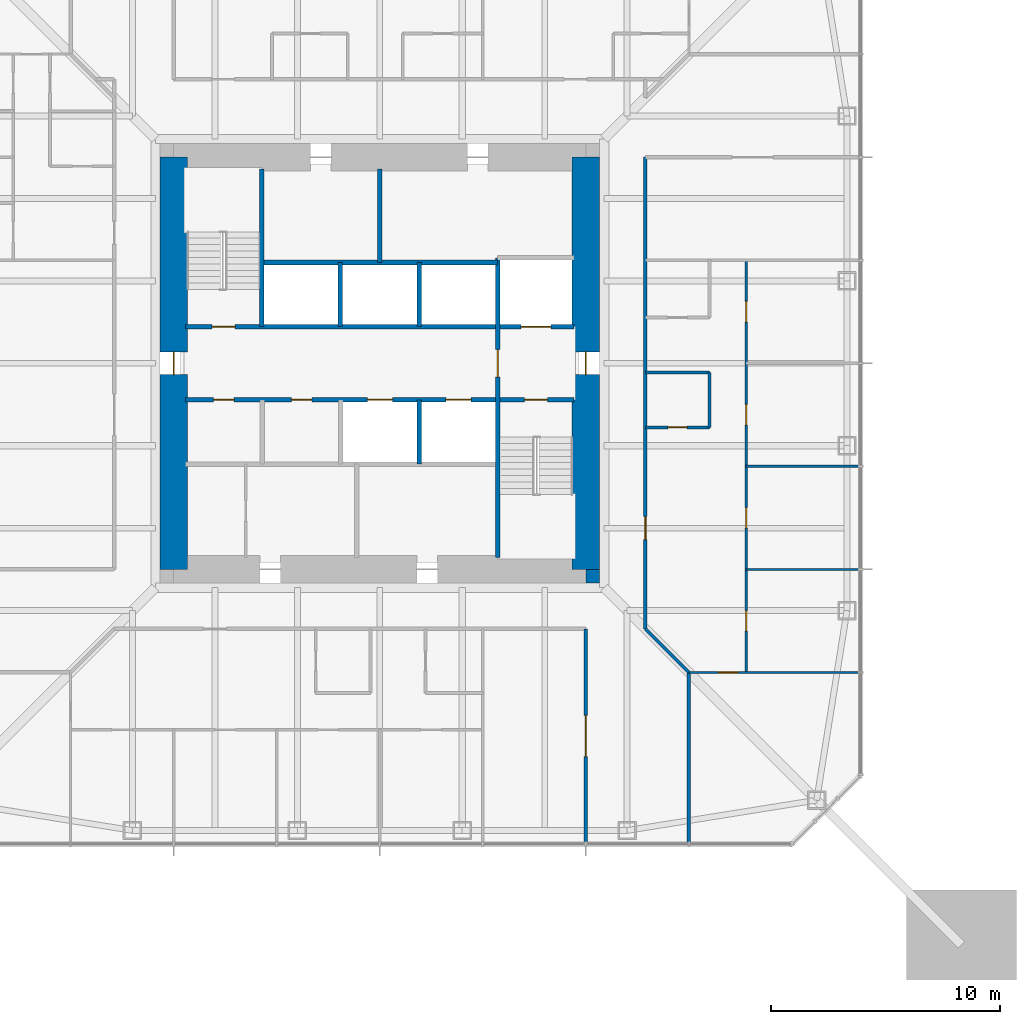
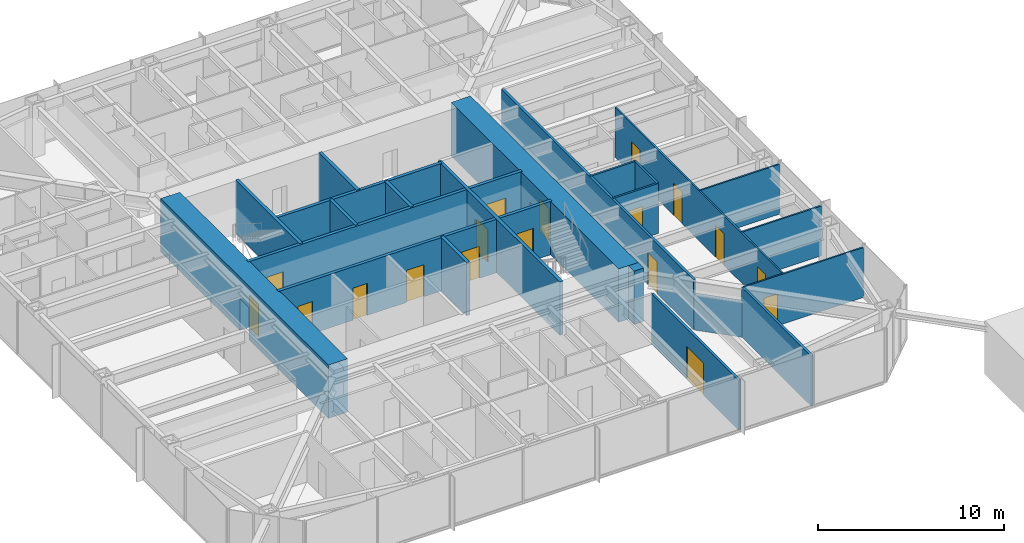
# One storey, part 14 of 25: 23 walls, 18 doors, 18 openings.
"""IFC4 building model written with IfcOpenShell, lengths in metres."""

from ifc_helpers import new_model, si_unit, direction, frame, frame_2d, origin, place, context, subcontext, project, spatial, rectangle, extrude, material, layer, layer_set, type_object, element, fill, save


model = new_model("IFC4")

# Units and contexts
model_context = context("Model", 3, precision=1e-05, world=origin(), true_north=direction((0.0, 1.0)))
body_context = subcontext(model_context, "Body", "Model", "MODEL_VIEW")
ifc_project = project(units=[si_unit("LENGTHUNIT", "METRE"), si_unit("AREAUNIT", "SQUARE_METRE"), si_unit("VOLUMEUNIT", "CUBIC_METRE"), si_unit("PLANEANGLEUNIT", "RADIAN"), si_unit("MASSUNIT", "GRAM", prefix="KILO")], contexts=[model_context])

# Site, building, storey
site_placement = place(None, origin())
site = spatial("IfcSite", under=ifc_project, at=site_placement, CompositionType="ELEMENT")
building_placement = place(site_placement, origin())
building = spatial("IfcBuilding", under=site, at=building_placement, Name="Iwan Alto Co-Living Towers", CompositionType="ELEMENT")
storey_placement = place(building_placement, frame((0.0, 0.0, 119.0)))
storey = spatial("IfcBuildingStorey", under=building, at=storey_placement, Name="L32", CompositionType="ELEMENT", Elevation=119.0)

# Wall
ifc_material_1 = material(Name="Gypsum board")
ifc_layer_1 = layer(ifc_material_1, 0.02490234375, Name="Board", Category="Finish")
ifc_material_2 = material(Name="Steel ASTM A1003 ST33H cold-formed studs", Category="steel")
ifc_layer_2 = layer(ifc_material_2, 0.10009765625, Name="Studs", Category="Framing")
ifc_layer_3 = layer(ifc_material_1, 0.02490234375, Name="Board", Category="Finish")
ifc_layer_set_1 = layer_set([ifc_layer_1, ifc_layer_2, ifc_layer_3], Name="CORRIDOR WALL 150")
wall_type_1 = type_object("IfcWallType", Name="CORRIDOR WALL 150", PredefinedType="PARTITIONING", material=ifc_layer_set_1)
wall_1_placement = place(storey_placement, frame((13.5, -20.93994140625, 0.0), z_axis=(0.0, 0.0, 1.0), x_axis=(0.0, 1.0, 0.0)))
element("IfcWall", 1, at=wall_1_placement, inside=storey, type_object=wall_type_1, Name="Partition L32", PredefinedType="PARTITIONING", context=body_context, shape_type="SweptSolid", body=[
    extrude(rectangle(XDim=7.43994140625, YDim=0.14990234375, at=frame_2d((3.719970703125, 0.0))), origin(), (0.0, 0.0, 1.0), 3.27001953125),
])

# Wall, opening, door
wall_2_placement = place(storey_placement, frame((11.60009765625, -11.60009765625, 0.0), z_axis=(0.0, 0.0, 1.0), x_axis=(0.0, 1.0, 0.0)))
wall_2 = element("IfcWall", 2, at=wall_2_placement, inside=storey, type_object=wall_type_1, Name="Partition L32", PredefinedType="PARTITIONING", context=body_context, shape_type="SweptSolid", body=[
    extrude(rectangle(XDim=20.60009765625, YDim=0.14990234375, at=frame_2d((10.300048828125, 0.0))), origin(), (0.0, 0.0, 1.0), 3.27001953125),
])
opening_1_placement = place(wall_2_placement, frame((3.89990234375, 0.0, 0.0)))
opening_1 = element("IfcOpeningElement", 3, at=opening_1_placement, cuts=wall_2, Name="Opening D3", PredefinedType="OPENING", context=body_context, shape_type="SweptSolid", body=[
    extrude(rectangle(XDim=1.0, YDim=2.10009765625, at=frame_2d((0.5, 1.050048828125))), frame((0.0, 0.0849609375, 0.0), z_axis=(0.0, -1.0, 0.0), x_axis=(1.0, 0.0, 0.0)), (0.0, 0.0, 1.0), 0.169921875),
])
ifc_material_3 = material(Name="Steel frame with timber leaf", Category="steel")
door_type_1 = type_object("IfcDoorType", Name="FLAT ENTRANCE DOOR FD30S 1000X2100", OperationType="SINGLE_SWING_LEFT", PredefinedType="DOOR", material=ifc_material_3)
door_1_placement = place(opening_1_placement, frame((1.0, 0.0, 0.0), z_axis=(0.0, 0.0, 1.0), x_axis=(-1.0, 0.0, 0.0)))
door_1 = element("IfcDoor", 4, at=door_1_placement, inside=storey, type_object=door_type_1, Name="Cluster lounge door L32", OperationType="SINGLE_SWING_LEFT", OverallHeight=2.10009765625, OverallWidth=1.0, PredefinedType="DOOR", context=body_context, shape_type="SweptSolid", body=[
    extrude(rectangle(XDim=1.0, YDim=2.10009765625, at=frame_2d((0.5, 1.050048828125))), frame((0.0, 0.02490234375, 0.0), z_axis=(0.0, -1.0, 0.0), x_axis=(1.0, 0.0, 0.0)), (0.0, 0.0, 1.0), 0.050048828125),
])
fill(opening_1, door_1)

wall_3_placement = place(storey_placement, frame((9.0, -20.93994140625, 0.0), z_axis=(0.0, 0.0, 1.0), x_axis=(0.0, 1.0, 0.0)))
wall_3 = element("IfcWall", 5, at=wall_3_placement, inside=storey, type_object=wall_type_1, Name="Partition L32", PredefinedType="PARTITIONING", context=body_context, shape_type="SweptSolid", body=[
    extrude(rectangle(XDim=9.33984375, YDim=0.14990234375, at=frame_2d((4.669921875, 0.0))), origin(), (0.0, 0.0, 1.0), 3.27001953125),
])
opening_2_placement = place(wall_3_placement, frame((3.77001953125, 0.0, 0.0)))
opening_2 = element("IfcOpeningElement", 6, at=opening_2_placement, cuts=wall_3, Name="Opening D9", PredefinedType="OPENING", context=body_context, shape_type="SweptSolid", body=[
    extrude(rectangle(XDim=1.800048828125, YDim=2.10009765625, at=frame_2d((0.89990234375, 1.050048828125))), frame((0.0, 0.0849609375, 0.0), z_axis=(0.0, -1.0, 0.0), x_axis=(1.0, 0.0, 0.0)), (0.0, 0.0, 1.0), 0.169921875),
])
ifc_material_4 = material(Name="Steel frame with timber leaf", Category="steel")
door_type_2 = type_object("IfcDoorType", Name="LOUNGE DOOR FD30S 1800X2100", OperationType="DOUBLE_DOOR_SINGLE_SWING", PredefinedType="DOOR", material=ifc_material_4)
door_2_placement = place(opening_2_placement, origin())
door_2 = element("IfcDoor", 7, at=door_2_placement, inside=storey, type_object=door_type_2, Name="Co-working room door L32", OperationType="DOUBLE_DOOR_SINGLE_SWING", OverallHeight=2.10009765625, OverallWidth=1.800048828125, PredefinedType="DOOR", context=body_context, shape_type="SweptSolid", body=[
    extrude(rectangle(XDim=1.800048828125, YDim=2.10009765625, at=frame_2d((0.89990234375, 1.050048828125))), frame((0.0, 0.02490234375, 0.0), z_axis=(0.0, -1.0, 0.0), x_axis=(1.0, 0.0, 0.0)), (0.0, 0.0, 1.0), 0.050048828125),
])
fill(opening_2, door_2)

# Wall
wall_4_placement = place(storey_placement, frame((13.5, -13.5, 0.0), z_axis=(0.0, 0.0, 1.0), x_axis=(-0.707106781187, 0.707106781187, 0.0)))
element("IfcWall", 8, at=wall_4_placement, inside=storey, type_object=wall_type_1, Name="Partition L32", PredefinedType="PARTITIONING", context=body_context, shape_type="SweptSolid", body=[
    extrude(rectangle(XDim=2.686767578125, YDim=0.14990234375, at=frame_2d((1.34326171875, 0.0))), origin(), (0.0, 0.0, 1.0), 2.343017578125),
])

# Wall, opening, door
ifc_layer_4 = layer(ifc_material_1, 0.012451171875, Name="Board", Category="Finish")
ifc_layer_5 = layer(ifc_material_2, 0.074951171875, Name="Studs", Category="Framing")
ifc_layer_6 = layer(ifc_material_1, 0.012451171875, Name="Board", Category="Finish")
ifc_layer_set_2 = layer_set([ifc_layer_4, ifc_layer_5, ifc_layer_6], Name="PARTITION 100")
wall_type_2 = type_object("IfcWallType", Name="PARTITION 100", PredefinedType="PARTITIONING", material=ifc_layer_set_2)
wall_5_placement = place(storey_placement, frame((13.5, -13.5, 0.0), z_axis=(0.0, 0.0, 1.0), x_axis=(1.0, 0.0, 0.0)))
wall_5 = element("IfcWall", 9, at=wall_5_placement, inside=storey, type_object=wall_type_2, Name="Partition L32", PredefinedType="PARTITIONING", context=body_context, shape_type="SweptSolid", body=[
    extrude(rectangle(XDim=7.43994140625, YDim=0.10009765625, at=frame_2d((3.719970703125, 0.0))), origin(), (0.0, 0.0, 1.0), 3.27001953125),
])
opening_3_placement = place(wall_5_placement, frame((1.27490234375, 0.0, 0.0)))
opening_3 = element("IfcOpeningElement", 10, at=opening_3_placement, cuts=wall_5, Name="Opening D2", PredefinedType="OPENING", context=body_context, shape_type="SweptSolid", body=[
    extrude(rectangle(XDim=0.85009765625, YDim=2.10009765625, at=frame_2d((0.425048828125, 1.050048828125))), frame((0.0, 0.06005859375, 0.0), z_axis=(0.0, -1.0, 0.0), x_axis=(1.0, 0.0, 0.0)), (0.0, 0.0, 1.0), 0.1201171875),
])
ifc_material_5 = material(Name="Timber leaf in steel frame", Category="steel")
door_type_3 = type_object("IfcDoorType", Name="ROOM DOOR 850X2100", OperationType="SINGLE_SWING_LEFT", PredefinedType="DOOR", material=ifc_material_5)
door_3_placement = place(opening_3_placement, origin())
door_3 = element("IfcDoor", 11, at=door_3_placement, inside=storey, type_object=door_type_3, Name="Shared kitchen and lounge door L32", OperationType="SINGLE_SWING_RIGHT", OverallHeight=2.10009765625, OverallWidth=0.85009765625, PredefinedType="DOOR", context=body_context, shape_type="SweptSolid", body=[
    extrude(rectangle(XDim=0.85009765625, YDim=2.10009765625, at=frame_2d((0.425048828125, 1.050048828125))), frame((0.0, 0.02490234375, 0.0), z_axis=(0.0, -1.0, 0.0), x_axis=(1.0, 0.0, 0.0)), (0.0, 0.0, 1.0), 0.050048828125),
])
fill(opening_3, door_3)

# Walls
for number, where, z_axis, x_axis, name in (
    (12, (16.0, -9.0, 0.0), (0.0, 0.0, 1.0), (1.0, 0.0, 0.0), "Partition L32"),
    (13, (16.0, -4.5, 0.0), (0.0, 0.0, 1.0), (1.0, 0.0, 0.0), "Partition L32"),
):
    element("IfcWall", number, at=place(storey_placement, frame(where, z_axis=z_axis, x_axis=x_axis)), inside=storey, type_object=wall_type_2, Name=name, PredefinedType="PARTITIONING", context=body_context, shape_type="SweptSolid", body=[
        extrude(rectangle(XDim=4.93994140625, YDim=0.10009765625, at=frame_2d((2.469970703125, 0.0))), origin(), (0.0, 0.0, 1.0), 3.27001953125),
    ])

# Wall, openings, doors
wall_6_placement = place(storey_placement, frame((16.0, -13.5, 0.0), z_axis=(0.0, 0.0, 1.0), x_axis=(0.0, 1.0, 0.0)))
wall_6 = element("IfcWall", 14, at=wall_6_placement, inside=storey, type_object=wall_type_2, Name="Partition L32", PredefinedType="PARTITIONING", context=body_context, shape_type="SweptSolid", body=[
    extrude(rectangle(XDim=18.0, YDim=0.10009765625, at=frame_2d((9.0, 0.0))), origin(), (0.0, 0.0, 1.0), 3.27001953125),
])
opening_4_placement = place(wall_6_placement, frame((1.800048828125, 0.0, 0.0)))
opening_4 = element("IfcOpeningElement", 15, at=opening_4_placement, cuts=wall_6, Name="Opening D1", PredefinedType="OPENING", context=body_context, shape_type="SweptSolid", body=[
    extrude(rectangle(XDim=0.89990234375, YDim=2.10009765625, at=frame_2d((0.449951171875, 1.050048828125))), frame((0.0, 0.06005859375, 0.0), z_axis=(0.0, -1.0, 0.0), x_axis=(1.0, 0.0, 0.0)), (0.0, 0.0, 1.0), 0.1201171875),
])
opening_5_placement = place(wall_6_placement, frame((6.300048828125, 0.0, 0.0)))
opening_5 = element("IfcOpeningElement", 16, at=opening_5_placement, cuts=wall_6, Name="Opening D1", PredefinedType="OPENING", context=body_context, shape_type="SweptSolid", body=[
    extrude(rectangle(XDim=0.89990234375, YDim=2.10009765625, at=frame_2d((0.449951171875, 1.050048828125))), frame((0.0, 0.06005859375, 0.0), z_axis=(0.0, -1.0, 0.0), x_axis=(1.0, 0.0, 0.0)), (0.0, 0.0, 1.0), 0.1201171875),
])
opening_6_placement = place(wall_6_placement, frame((10.800048828125, 0.0, 0.0)))
opening_6 = element("IfcOpeningElement", 17, at=opening_6_placement, cuts=wall_6, Name="Opening D1", PredefinedType="OPENING", context=body_context, shape_type="SweptSolid", body=[
    extrude(rectangle(XDim=0.89990234375, YDim=2.10009765625, at=frame_2d((0.449951171875, 1.050048828125))), frame((0.0, 0.06005859375, 0.0), z_axis=(0.0, -1.0, 0.0), x_axis=(1.0, 0.0, 0.0)), (0.0, 0.0, 1.0), 0.1201171875),
])
opening_7_placement = place(wall_6_placement, frame((15.300048828125, 0.0, 0.0)))
opening_7 = element("IfcOpeningElement", 18, at=opening_7_placement, cuts=wall_6, Name="Opening D1", PredefinedType="OPENING", context=body_context, shape_type="SweptSolid", body=[
    extrude(rectangle(XDim=0.89990234375, YDim=2.10009765625, at=frame_2d((0.449951171875, 1.050048828125))), frame((0.0, 0.06005859375, 0.0), z_axis=(0.0, -1.0, 0.0), x_axis=(1.0, 0.0, 0.0)), (0.0, 0.0, 1.0), 0.1201171875),
])
ifc_material_6 = material(Name="Timber leaf in steel frame", Category="steel")
door_type_4 = type_object("IfcDoorType", Name="BEDROOM DOOR 900X2100", OperationType="SINGLE_SWING_LEFT", PredefinedType="DOOR", material=ifc_material_6)
door_4_placement = place(opening_4_placement, origin())
door_4 = element("IfcDoor", 19, at=door_4_placement, inside=storey, type_object=door_type_4, Name="Study bedroom door L32", OperationType="SINGLE_SWING_LEFT", OverallHeight=2.10009765625, OverallWidth=0.89990234375, PredefinedType="DOOR", context=body_context, shape_type="SweptSolid", body=[
    extrude(rectangle(XDim=0.89990234375, YDim=2.10009765625, at=frame_2d((0.449951171875, 1.050048828125))), frame((0.0, 0.02490234375, 0.0), z_axis=(0.0, -1.0, 0.0), x_axis=(1.0, 0.0, 0.0)), (0.0, 0.0, 1.0), 0.050048828125),
])
fill(opening_4, door_4)
door_5_placement = place(opening_5_placement, origin())
door_5 = element("IfcDoor", 20, at=door_5_placement, inside=storey, type_object=door_type_4, Name="Study bedroom door L32", OperationType="SINGLE_SWING_LEFT", OverallHeight=2.10009765625, OverallWidth=0.89990234375, PredefinedType="DOOR", context=body_context, shape_type="SweptSolid", body=[
    extrude(rectangle(XDim=0.89990234375, YDim=2.10009765625, at=frame_2d((0.449951171875, 1.050048828125))), frame((0.0, 0.02490234375, 0.0), z_axis=(0.0, -1.0, 0.0), x_axis=(1.0, 0.0, 0.0)), (0.0, 0.0, 1.0), 0.050048828125),
])
fill(opening_5, door_5)
door_6_placement = place(opening_6_placement, origin())
door_6 = element("IfcDoor", 21, at=door_6_placement, inside=storey, type_object=door_type_4, Name="Study bedroom door L32", OperationType="SINGLE_SWING_RIGHT", OverallHeight=2.10009765625, OverallWidth=0.89990234375, PredefinedType="DOOR", context=body_context, shape_type="SweptSolid", body=[
    extrude(rectangle(XDim=0.89990234375, YDim=2.10009765625, at=frame_2d((0.449951171875, 1.050048828125))), frame((0.0, 0.02490234375, 0.0), z_axis=(0.0, -1.0, 0.0), x_axis=(1.0, 0.0, 0.0)), (0.0, 0.0, 1.0), 0.050048828125),
])
fill(opening_6, door_6)
door_7_placement = place(opening_7_placement, origin())
door_7 = element("IfcDoor", 22, at=door_7_placement, inside=storey, type_object=door_type_4, Name="Study bedroom door L32", OperationType="SINGLE_SWING_RIGHT", OverallHeight=2.10009765625, OverallWidth=0.89990234375, PredefinedType="DOOR", context=body_context, shape_type="SweptSolid", body=[
    extrude(rectangle(XDim=0.89990234375, YDim=2.10009765625, at=frame_2d((0.449951171875, 1.050048828125))), frame((0.0, 0.02490234375, 0.0), z_axis=(0.0, -1.0, 0.0), x_axis=(1.0, 0.0, 0.0)), (0.0, 0.0, 1.0), 0.050048828125),
])
fill(opening_7, door_7)

ifc_material_7 = material(Name="Concrete f'c 70 MPa", Category="concrete")
ifc_layer_7 = layer(ifc_material_7, 0.199951171875)
ifc_layer_set_3 = layer_set([ifc_layer_7], Name="SHAFT WALL 200")
wall_type_3 = type_object("IfcWallType", Name="SHAFT WALL 200", PredefinedType="SOLIDWALL", material=ifc_layer_set_3)
wall_7_placement = place(storey_placement, frame((-8.489990234375, -1.60009765625, 0.0), z_axis=(0.0, 0.0, 1.0), x_axis=(1.0, 0.0, 0.0)))
wall_7 = element("IfcWall", 23, at=wall_7_placement, inside=storey, type_object=wall_type_3, Name="Shaft wall L32", PredefinedType="SOLIDWALL", context=body_context, shape_type="SweptSolid", body=[
    extrude(rectangle(XDim=16.97998046875, YDim=0.199951171875, at=frame_2d((8.489990234375, 0.0))), origin(), (0.0, 0.0, 1.0), 3.5),
])
opening_8_placement = place(wall_7_placement, frame((14.81005859375, 0.0, 0.0)))
opening_8 = element("IfcOpeningElement", 24, at=opening_8_placement, cuts=wall_7, Name="Opening D5", PredefinedType="OPENING", context=body_context, shape_type="SweptSolid", body=[
    extrude(rectangle(XDim=1.0, YDim=2.10009765625, at=frame_2d((0.5, 1.050048828125))), frame((0.0, 0.10986328125, 0.0), z_axis=(0.0, -1.0, 0.0), x_axis=(1.0, 0.0, 0.0)), (0.0, 0.0, 1.0), 0.219970703125),
])
opening_9_placement = place(wall_7_placement, frame((1.23193359375, 0.0, 0.0)))
opening_9 = element("IfcOpeningElement", 25, at=opening_9_placement, cuts=wall_7, Name="Opening D15", PredefinedType="OPENING", context=body_context, shape_type="SweptSolid", body=[
    extrude(rectangle(XDim=0.89990234375, YDim=2.10009765625, at=frame_2d((0.449951171875, 1.050048828125))), frame((0.0, 0.10986328125, 0.0), z_axis=(0.0, -1.0, 0.0), x_axis=(1.0, 0.0, 0.0)), (0.0, 0.0, 1.0), 0.219970703125),
])
opening_10_placement = place(wall_7_placement, frame((4.626953125, 0.0, 0.0)))
opening_10 = element("IfcOpeningElement", 26, at=opening_10_placement, cuts=wall_7, Name="Opening D15", PredefinedType="OPENING", context=body_context, shape_type="SweptSolid", body=[
    extrude(rectangle(XDim=0.89990234375, YDim=2.10009765625, at=frame_2d((0.449951171875, 1.050048828125))), frame((0.0, 0.10986328125, 0.0), z_axis=(0.0, -1.0, 0.0), x_axis=(1.0, 0.0, 0.0)), (0.0, 0.0, 1.0), 0.219970703125),
])
opening_11_placement = place(wall_7_placement, frame((7.952880859375, 0.0, 0.0)))
opening_11 = element("IfcOpeningElement", 27, at=opening_11_placement, cuts=wall_7, Name="Opening LD", PredefinedType="OPENING", context=body_context, shape_type="SweptSolid", body=[
    extrude(rectangle(XDim=1.10009765625, YDim=2.10009765625, at=frame_2d((0.550048828125, 1.050048828125))), frame((0.0, 0.10986328125, 0.0), z_axis=(0.0, -1.0, 0.0), x_axis=(1.0, 0.0, 0.0)), (0.0, 0.0, 1.0), 0.219970703125),
])
opening_12_placement = place(wall_7_placement, frame((11.3779296875, 0.0, 0.0)))
opening_12 = element("IfcOpeningElement", 28, at=opening_12_placement, cuts=wall_7, Name="Opening LD", PredefinedType="OPENING", context=body_context, shape_type="SweptSolid", body=[
    extrude(rectangle(XDim=1.10009765625, YDim=2.10009765625, at=frame_2d((0.550048828125, 1.050048828125))), frame((0.0, 0.10986328125, 0.0), z_axis=(0.0, -1.0, 0.0), x_axis=(1.0, 0.0, 0.0)), (0.0, 0.0, 1.0), 0.219970703125),
])
ifc_material_8 = material(Name="Steel frame with timber leaf", Category="steel")
door_type_5 = type_object("IfcDoorType", Name="CORE ROOM DOOR FD60S 900X2100", OperationType="SINGLE_SWING_LEFT", PredefinedType="DOOR", material=ifc_material_8)
door_8_placement = place(opening_9_placement, frame((0.89990234375, 0.0, 0.0), z_axis=(0.0, 0.0, 1.0), x_axis=(-1.0, 0.0, 0.0)))
door_8 = element("IfcDoor", 29, at=door_8_placement, inside=storey, type_object=door_type_5, Name="Housekeeping store door L32", OperationType="SINGLE_SWING_LEFT", OverallHeight=2.10009765625, OverallWidth=0.89990234375, PredefinedType="DOOR", context=body_context, shape_type="SweptSolid", body=[
    extrude(rectangle(XDim=0.89990234375, YDim=2.10009765625, at=frame_2d((0.449951171875, 1.050048828125))), frame((0.0, 0.02490234375, 0.0), z_axis=(0.0, -1.0, 0.0), x_axis=(1.0, 0.0, 0.0)), (0.0, 0.0, 1.0), 0.050048828125),
])
fill(opening_9, door_8)
door_9_placement = place(opening_10_placement, frame((0.89990234375, 0.0, 0.0), z_axis=(0.0, 0.0, 1.0), x_axis=(-1.0, 0.0, 0.0)))
door_9 = element("IfcDoor", 30, at=door_9_placement, inside=storey, type_object=door_type_5, Name="Staff WC door L32", OperationType="SINGLE_SWING_RIGHT", OverallHeight=2.10009765625, OverallWidth=0.89990234375, PredefinedType="DOOR", context=body_context, shape_type="SweptSolid", body=[
    extrude(rectangle(XDim=0.89990234375, YDim=2.10009765625, at=frame_2d((0.449951171875, 1.050048828125))), frame((0.0, 0.02490234375, 0.0), z_axis=(0.0, -1.0, 0.0), x_axis=(1.0, 0.0, 0.0)), (0.0, 0.0, 1.0), 0.050048828125),
])
fill(opening_10, door_9)
ifc_material_9 = material(Name="Steel frame with timber leaf", Category="steel")
door_type_6 = type_object("IfcDoorType", Name="LIFT LANDING DOOR 1100X2100", OperationType="DOUBLE_DOOR_SLIDING", PredefinedType="DOOR", material=ifc_material_9)
door_10_placement = place(opening_11_placement, origin())
door_10 = element("IfcDoor", 31, at=door_10_placement, inside=storey, type_object=door_type_6, Name="Lift P2-3 landing door L32", OperationType="DOUBLE_DOOR_SLIDING", OverallHeight=2.10009765625, OverallWidth=1.10009765625, PredefinedType="DOOR", context=body_context, shape_type="SweptSolid", body=[
    extrude(rectangle(XDim=1.10009765625, YDim=2.10009765625, at=frame_2d((0.550048828125, 1.050048828125))), frame((0.0, 0.02490234375, 0.0), z_axis=(0.0, -1.0, 0.0), x_axis=(1.0, 0.0, 0.0)), (0.0, 0.0, 1.0), 0.050048828125),
])
fill(opening_11, door_10)
door_11_placement = place(opening_12_placement, origin())
door_11 = element("IfcDoor", 32, at=door_11_placement, inside=storey, type_object=door_type_6, Name="Lift P2-4 landing door L32", OperationType="DOUBLE_DOOR_SLIDING", OverallHeight=2.10009765625, OverallWidth=1.10009765625, PredefinedType="DOOR", context=body_context, shape_type="SweptSolid", body=[
    extrude(rectangle(XDim=1.10009765625, YDim=2.10009765625, at=frame_2d((0.550048828125, 1.050048828125))), frame((0.0, 0.02490234375, 0.0), z_axis=(0.0, -1.0, 0.0), x_axis=(1.0, 0.0, 0.0)), (0.0, 0.0, 1.0), 0.050048828125),
])
fill(opening_12, door_11)
ifc_material_10 = material(Name="Steel frame with timber leaf", Category="steel")
door_type_7 = type_object("IfcDoorType", Name="STAIR DOOR FD120S 1000X2100", OperationType="SINGLE_SWING_LEFT", PredefinedType="DOOR", material=ifc_material_10)
door_12_placement = place(opening_8_placement, frame((1.0, 0.0, 0.0), z_axis=(0.0, 0.0, 1.0), x_axis=(-1.0, 0.0, 0.0)))
door_12 = element("IfcDoor", 33, at=door_12_placement, inside=storey, type_object=door_type_7, Name="Stair S2 door L32", OperationType="SINGLE_SWING_RIGHT", OverallHeight=2.10009765625, OverallWidth=1.0, PredefinedType="DOOR", context=body_context, shape_type="SweptSolid", body=[
    extrude(rectangle(XDim=1.0, YDim=2.10009765625, at=frame_2d((0.5, 1.050048828125))), frame((0.0, 0.02490234375, 0.0), z_axis=(0.0, -1.0, 0.0), x_axis=(1.0, 0.0, 0.0)), (0.0, 0.0, 1.0), 0.050048828125),
])
fill(opening_8, door_12)

wall_8_placement = place(storey_placement, frame((-8.489990234375, 1.60009765625, 0.0), z_axis=(0.0, 0.0, 1.0), x_axis=(1.0, 0.0, 0.0)))
wall_8 = element("IfcWall", 34, at=wall_8_placement, inside=storey, type_object=wall_type_3, Name="Shaft wall L32", PredefinedType="SOLIDWALL", context=body_context, shape_type="SweptSolid", body=[
    extrude(rectangle(XDim=16.97998046875, YDim=0.199951171875, at=frame_2d((8.489990234375, 0.0))), origin(), (0.0, 0.0, 1.0), 3.5),
])
opening_13_placement = place(wall_8_placement, frame((1.169921875, 0.0, 0.0)))
opening_13 = element("IfcOpeningElement", 35, at=opening_13_placement, cuts=wall_8, Name="Opening D5", PredefinedType="OPENING", context=body_context, shape_type="SweptSolid", body=[
    extrude(rectangle(XDim=1.0, YDim=2.10009765625, at=frame_2d((0.5, 1.050048828125))), frame((0.0, 0.10986328125, 0.0), z_axis=(0.0, -1.0, 0.0), x_axis=(1.0, 0.0, 0.0)), (0.0, 0.0, 1.0), 0.219970703125),
])
opening_14_placement = place(wall_8_placement, frame((14.659912109375, 0.0, 0.0)))
opening_14 = element("IfcOpeningElement", 36, at=opening_14_placement, cuts=wall_8, Name="Opening LD2", PredefinedType="OPENING", context=body_context, shape_type="SweptSolid", body=[
    extrude(rectangle(XDim=1.300048828125, YDim=2.10009765625, at=frame_2d((0.64990234375, 1.050048828125))), frame((0.0, 0.10986328125, 0.0), z_axis=(0.0, -1.0, 0.0), x_axis=(1.0, 0.0, 0.0)), (0.0, 0.0, 1.0), 0.219970703125),
])
ifc_material_11 = material(Name="Steel frame with timber leaf", Category="steel")
door_type_8 = type_object("IfcDoorType", Name="LIFT LANDING DOOR 1300X2100", OperationType="SLIDING_TO_LEFT", PredefinedType="DOOR", material=ifc_material_11)
door_13_placement = place(opening_14_placement, origin())
door_13 = element("IfcDoor", 37, at=door_13_placement, inside=storey, type_object=door_type_8, Name="Lift FL1 landing door L32", OperationType="SLIDING_TO_LEFT", OverallHeight=2.10009765625, OverallWidth=1.300048828125, PredefinedType="DOOR", context=body_context, shape_type="SweptSolid", body=[
    extrude(rectangle(XDim=1.300048828125, YDim=2.10009765625, at=frame_2d((0.64990234375, 1.050048828125))), frame((0.0, 0.02490234375, 0.0), z_axis=(0.0, -1.0, 0.0), x_axis=(1.0, 0.0, 0.0)), (0.0, 0.0, 1.0), 0.050048828125),
])
fill(opening_14, door_13)
door_14_placement = place(opening_13_placement, origin())
door_14 = element("IfcDoor", 38, at=door_14_placement, inside=storey, type_object=door_type_7, Name="Stair S1 door L32", OperationType="SINGLE_SWING_RIGHT", OverallHeight=2.10009765625, OverallWidth=1.0, PredefinedType="DOOR", context=body_context, shape_type="SweptSolid", body=[
    extrude(rectangle(XDim=1.0, YDim=2.10009765625, at=frame_2d((0.5, 1.050048828125))), frame((0.0, 0.02490234375, 0.0), z_axis=(0.0, -1.0, 0.0), x_axis=(1.0, 0.0, 0.0)), (0.0, 0.0, 1.0), 0.050048828125),
])
fill(opening_13, door_14)

# Wall
wall_9_placement = place(storey_placement, frame((-5.14990234375, 4.39990234375, 0.0), z_axis=(0.0, 0.0, 1.0), x_axis=(1.0, 0.0, 0.0)))
element("IfcWall", 39, at=wall_9_placement, inside=storey, type_object=wall_type_3, Name="Shaft wall L32", PredefinedType="SOLIDWALL", context=body_context, shape_type="SweptSolid", body=[
    extrude(rectangle(XDim=10.2998046875, YDim=0.199951171875, at=frame_2d((5.14990234375, 0.0))), origin(), (0.0, 0.0, 1.0), 3.5),
])

# Wall, opening, door
wall_10_placement = place(storey_placement, frame((5.14990234375, -8.489990234375, 0.0), z_axis=(0.0, 0.0, 1.0), x_axis=(0.0, 1.0, 0.0)))
wall_10 = element("IfcWall", 40, at=wall_10_placement, inside=storey, type_object=wall_type_3, Name="Shaft wall L32", PredefinedType="SOLIDWALL", context=body_context, shape_type="SweptSolid", body=[
    extrude(rectangle(XDim=13.090087890625, YDim=0.199951171875, at=frame_2d((6.544921875, 0.0))), origin(), (0.0, 0.0, 1.0), 3.5),
])
opening_15_placement = place(wall_10_placement, frame((7.889892578125, 0.0, 0.0)))
opening_15 = element("IfcOpeningElement", 41, at=opening_15_placement, cuts=wall_10, Name="Opening D6", PredefinedType="OPENING", context=body_context, shape_type="SweptSolid", body=[
    extrude(rectangle(XDim=1.199951171875, YDim=2.10009765625, at=frame_2d((0.60009765625, 1.050048828125))), frame((0.0, 0.10986328125, 0.0), z_axis=(0.0, -1.0, 0.0), x_axis=(1.0, 0.0, 0.0)), (0.0, 0.0, 1.0), 0.219970703125),
])
ifc_material_12 = material(Name="Steel frame with timber leaf", Category="steel")
door_type_9 = type_object("IfcDoorType", Name="LOBBY DOOR FD120S 1200X2100", OperationType="SINGLE_SWING_LEFT", PredefinedType="DOOR", material=ifc_material_12)
door_15_placement = place(opening_15_placement, frame((1.199951171875, 0.0, 0.0), z_axis=(0.0, 0.0, 1.0), x_axis=(-1.0, 0.0, 0.0)))
door_15 = element("IfcDoor", 42, at=door_15_placement, inside=storey, type_object=door_type_9, Name="Firefighting lobby door L32", OperationType="SINGLE_SWING_RIGHT", OverallHeight=2.10009765625, OverallWidth=1.199951171875, PredefinedType="DOOR", context=body_context, shape_type="SweptSolid", body=[
    extrude(rectangle(XDim=1.199951171875, YDim=2.10009765625, at=frame_2d((0.60009765625, 1.050048828125))), frame((0.0, 0.02490234375, 0.0), z_axis=(0.0, -1.0, 0.0), x_axis=(1.0, 0.0, 0.0)), (0.0, 0.0, 1.0), 0.050048828125),
])
fill(opening_15, door_15)

# Walls
for number, where, z_axis, x_axis, name in (
    (43, (1.72509765625, -4.39990234375, 0.0), (0.0, 0.0, 1.0), (0.0, 1.0, 0.0), "Shaft wall L32"),
    (44, (1.717041015625, 1.60009765625, 0.0), (0.0, 0.0, 1.0), (0.0, 1.0, 0.0), "Shaft wall L32"),
):
    element("IfcWall", number, at=place(storey_placement, frame(where, z_axis=z_axis, x_axis=x_axis)), inside=storey, type_object=wall_type_3, Name=name, PredefinedType="SOLIDWALL", context=body_context, shape_type="SweptSolid", body=[
        extrude(rectangle(XDim=2.7998046875, YDim=0.199951171875, at=frame_2d((1.39990234375, 0.0))), origin(), (0.0, 0.0, 1.0), 3.5),
    ])
wall_11_placement = place(storey_placement, frame((0.0, 4.39990234375, 0.0), z_axis=(0.0, 0.0, 1.0), x_axis=(0.0, 1.0, 0.0)))
element("IfcWall", 45, at=wall_11_placement, inside=storey, type_object=wall_type_3, Name="Shaft wall L32", PredefinedType="SOLIDWALL", context=body_context, shape_type="SweptSolid", body=[
    extrude(rectangle(XDim=4.090087890625, YDim=0.199951171875, at=frame_2d((2.044921875, 0.0))), origin(), (0.0, 0.0, 1.0), 3.5),
])
wall_12_placement = place(storey_placement, frame((-1.717041015625, 1.60009765625, 0.0), z_axis=(0.0, 0.0, 1.0), x_axis=(0.0, 1.0, 0.0)))
element("IfcWall", 46, at=wall_12_placement, inside=storey, type_object=wall_type_3, Name="Shaft wall L32", PredefinedType="SOLIDWALL", context=body_context, shape_type="SweptSolid", body=[
    extrude(rectangle(XDim=2.7998046875, YDim=0.199951171875, at=frame_2d((1.39990234375, 0.0))), origin(), (0.0, 0.0, 1.0), 3.5),
])
wall_13_placement = place(storey_placement, frame((-5.14990234375, 1.60009765625, 0.0), z_axis=(0.0, 0.0, 1.0), x_axis=(0.0, 1.0, 0.0)))
element("IfcWall", 47, at=wall_13_placement, inside=storey, type_object=wall_type_3, Name="Shaft wall L32", PredefinedType="SOLIDWALL", context=body_context, shape_type="SweptSolid", body=[
    extrude(rectangle(XDim=6.889892578125, YDim=0.199951171875, at=frame_2d((3.44482421875, 0.0))), origin(), (0.0, 0.0, 1.0), 3.5),
])
ifc_material_13 = material(Name="Concrete f'c 70 MPa", Category="concrete")
ifc_layer_8 = layer(ifc_material_13, 0.60009765625)
ifc_layer_set_4 = layer_set([ifc_layer_8], Name="T1 CORE CORNER FILL 600")
wall_type_4 = type_object("IfcWallType", Name="T1 CORE CORNER FILL 600", PredefinedType="SOLIDWALL", material=ifc_layer_set_4)
wall_14_placement = place(storey_placement, frame((9.0, -9.300048828125, 0.0), z_axis=(0.0, 0.0, 1.0), x_axis=(1.0, 0.0, 0.0)))
element("IfcWall", 48, at=wall_14_placement, inside=storey, type_object=wall_type_4, Name="T1 core corner SE L32", PredefinedType="SOLIDWALL", context=body_context, shape_type="SweptSolid", body=[
    extrude(rectangle(XDim=0.60009765625, YDim=0.60009765625, at=frame_2d((0.300048828125, 0.0))), origin(), (0.0, 0.0, 1.0), 3.5),
])

# Wall, opening, door
ifc_material_14 = material(Name="Concrete f'c 70 MPa", Category="concrete")
ifc_layer_9 = layer(ifc_material_14, 1.199951171875)
ifc_layer_set_5 = layer_set([ifc_layer_9], Name="T1 CORE WALL 1200")
wall_type_5 = type_object("IfcWallType", Name="T1 CORE WALL 1200", PredefinedType="SHEAR", material=ifc_layer_set_5)
wall_15_placement = place(storey_placement, frame((9.0, -9.0, 0.0), z_axis=(0.0, 0.0, 1.0), x_axis=(0.0, 1.0, 0.0)))
wall_15 = element("IfcWall", 49, at=wall_15_placement, inside=storey, type_object=wall_type_5, Name="T1 core wall E L32", PredefinedType="SHEAR", context=body_context, shape_type="SweptSolid", body=[
    extrude(rectangle(XDim=18.0, YDim=1.199951171875, at=frame_2d((9.0, 0.0))), origin(), (0.0, 0.0, 1.0), 3.5),
])
opening_16_placement = place(wall_15_placement, frame((8.5, 0.0, 0.0)))
opening_16 = element("IfcOpeningElement", 50, at=opening_16_placement, cuts=wall_15, Name="Opening D7", PredefinedType="OPENING", context=body_context, shape_type="SweptSolid", body=[
    extrude(rectangle(XDim=1.0, YDim=2.10009765625, at=frame_2d((0.5, 1.050048828125))), frame((0.0, 0.60986328125, 0.0), z_axis=(0.0, -1.0, 0.0), x_axis=(1.0, 0.0, 0.0)), (0.0, 0.0, 1.0), 1.219970703125),
])
ifc_material_15 = material(Name="Steel frame with timber leaf", Category="steel")
door_type_10 = type_object("IfcDoorType", Name="CORE DOOR FD120S 1000X2100", OperationType="SINGLE_SWING_LEFT", PredefinedType="DOOR", material=ifc_material_15)
door_16_placement = place(opening_16_placement, origin())
door_16 = element("IfcDoor", 51, at=door_16_placement, inside=storey, type_object=door_type_10, Name="Firefighting lobby core door L32", OperationType="SINGLE_SWING_LEFT", OverallHeight=2.10009765625, OverallWidth=1.0, PredefinedType="DOOR", context=body_context, shape_type="SweptSolid", body=[
    extrude(rectangle(XDim=1.0, YDim=2.10009765625, at=frame_2d((0.5, 1.050048828125))), frame((0.0, 0.02490234375, 0.0), z_axis=(0.0, -1.0, 0.0), x_axis=(1.0, 0.0, 0.0)), (0.0, 0.0, 1.0), 0.050048828125),
])
fill(opening_16, door_16)

wall_16_placement = place(storey_placement, frame((-9.0, 9.0, 0.0), z_axis=(0.0, 0.0, 1.0), x_axis=(0.0, -1.0, 0.0)))
wall_16 = element("IfcWall", 52, at=wall_16_placement, inside=storey, type_object=wall_type_5, Name="T1 core wall W L32", PredefinedType="SHEAR", context=body_context, shape_type="SweptSolid", body=[
    extrude(rectangle(XDim=18.0, YDim=1.199951171875, at=frame_2d((9.0, 0.0))), origin(), (0.0, 0.0, 1.0), 3.5),
])
opening_17_placement = place(wall_16_placement, frame((8.5, 0.0, 0.0)))
opening_17 = element("IfcOpeningElement", 53, at=opening_17_placement, cuts=wall_16, Name="Opening D7", PredefinedType="OPENING", context=body_context, shape_type="SweptSolid", body=[
    extrude(rectangle(XDim=1.0, YDim=2.10009765625, at=frame_2d((0.5, 1.050048828125))), frame((0.0, 0.60986328125, 0.0), z_axis=(0.0, -1.0, 0.0), x_axis=(1.0, 0.0, 0.0)), (0.0, 0.0, 1.0), 1.219970703125),
])
door_17_placement = place(opening_17_placement, origin())
door_17 = element("IfcDoor", 54, at=door_17_placement, inside=storey, type_object=door_type_10, Name="Lift lobby core door L32", OperationType="SINGLE_SWING_RIGHT", OverallHeight=2.10009765625, OverallWidth=1.0, PredefinedType="DOOR", context=body_context, shape_type="SweptSolid", body=[
    extrude(rectangle(XDim=1.0, YDim=2.10009765625, at=frame_2d((0.5, 1.050048828125))), frame((0.0, 0.02490234375, 0.0), z_axis=(0.0, -1.0, 0.0), x_axis=(1.0, 0.0, 0.0)), (0.0, 0.0, 1.0), 0.050048828125),
])
fill(opening_17, door_17)

ifc_material_16 = material(Name="Cement board")
ifc_layer_10 = layer(ifc_material_16, 0.012451171875, Name="Board", Category="Finish")
ifc_layer_11 = layer(ifc_material_2, 0.094970703125, Name="Studs", Category="Framing")
ifc_layer_12 = layer(ifc_material_16, 0.012451171875, Name="Board", Category="Finish")
ifc_layer_set_6 = layer_set([ifc_layer_10, ifc_layer_11, ifc_layer_12], Name="WET AREA PARTITION 120")
wall_type_6 = type_object("IfcWallType", Name="WET AREA PARTITION 120", PredefinedType="PARTITIONING", material=ifc_layer_set_6)
wall_17_placement = place(storey_placement, frame((11.60009765625, -2.800048828125, 0.0), z_axis=(0.0, 0.0, 1.0), x_axis=(1.0, 0.0, 0.0)))
wall_17 = element("IfcWall", 55, at=wall_17_placement, inside=storey, type_object=wall_type_6, Name="Partition L32", PredefinedType="PARTITIONING", context=body_context, shape_type="SweptSolid", body=[
    extrude(rectangle(XDim=2.7998046875, YDim=0.1201171875, at=frame_2d((1.39990234375, 0.0))), origin(), (0.0, 0.0, 1.0), 3.27001953125),
])
opening_18_placement = place(wall_17_placement, frame((0.97509765625, 0.0, 0.0)))
opening_18 = element("IfcOpeningElement", 56, at=opening_18_placement, cuts=wall_17, Name="Opening D2", PredefinedType="OPENING", context=body_context, shape_type="SweptSolid", body=[
    extrude(rectangle(XDim=0.85009765625, YDim=2.10009765625, at=frame_2d((0.425048828125, 1.050048828125))), frame((0.0, 0.070068359375, 0.0), z_axis=(0.0, -1.0, 0.0), x_axis=(1.0, 0.0, 0.0)), (0.0, 0.0, 1.0), 0.14013671875),
])
door_18_placement = place(opening_18_placement, frame((0.85009765625, 0.0, 0.0), z_axis=(0.0, 0.0, 1.0), x_axis=(-1.0, 0.0, 0.0)))
door_18 = element("IfcDoor", 57, at=door_18_placement, inside=storey, type_object=door_type_3, Name="Accessible bathroom door L32", OperationType="SINGLE_SWING_RIGHT", OverallHeight=2.10009765625, OverallWidth=0.85009765625, PredefinedType="DOOR", context=body_context, shape_type="SweptSolid", body=[
    extrude(rectangle(XDim=0.85009765625, YDim=2.10009765625, at=frame_2d((0.425048828125, 1.050048828125))), frame((0.0, 0.02490234375, 0.0), z_axis=(0.0, -1.0, 0.0), x_axis=(1.0, 0.0, 0.0)), (0.0, 0.0, 1.0), 0.050048828125),
])
fill(opening_18, door_18)

# Walls
wall_18_placement = place(storey_placement, frame((11.60009765625, -0.39990234375, 0.0), z_axis=(0.0, 0.0, 1.0), x_axis=(1.0, 0.0, 0.0)))
element("IfcWall", 58, at=wall_18_placement, inside=storey, type_object=wall_type_6, Name="Partition L32", PredefinedType="PARTITIONING", context=body_context, shape_type="SweptSolid", body=[
    extrude(rectangle(XDim=2.7998046875, YDim=0.1201171875, at=frame_2d((1.39990234375, 0.0))), origin(), (0.0, 0.0, 1.0), 3.27001953125),
])
wall_19_placement = place(storey_placement, frame((14.39990234375, -2.800048828125, 0.0), z_axis=(0.0, 0.0, 1.0), x_axis=(0.0, 1.0, 0.0)))
element("IfcWall", 59, at=wall_19_placement, inside=storey, type_object=wall_type_6, Name="Partition L32", PredefinedType="PARTITIONING", context=body_context, shape_type="SweptSolid", body=[
    extrude(rectangle(XDim=2.400146484375, YDim=0.1201171875, at=frame_2d((1.2001953125, 0.0))), origin(), (0.0, 0.0, 1.0), 3.27001953125),
])

save(model, "model.ifc")
